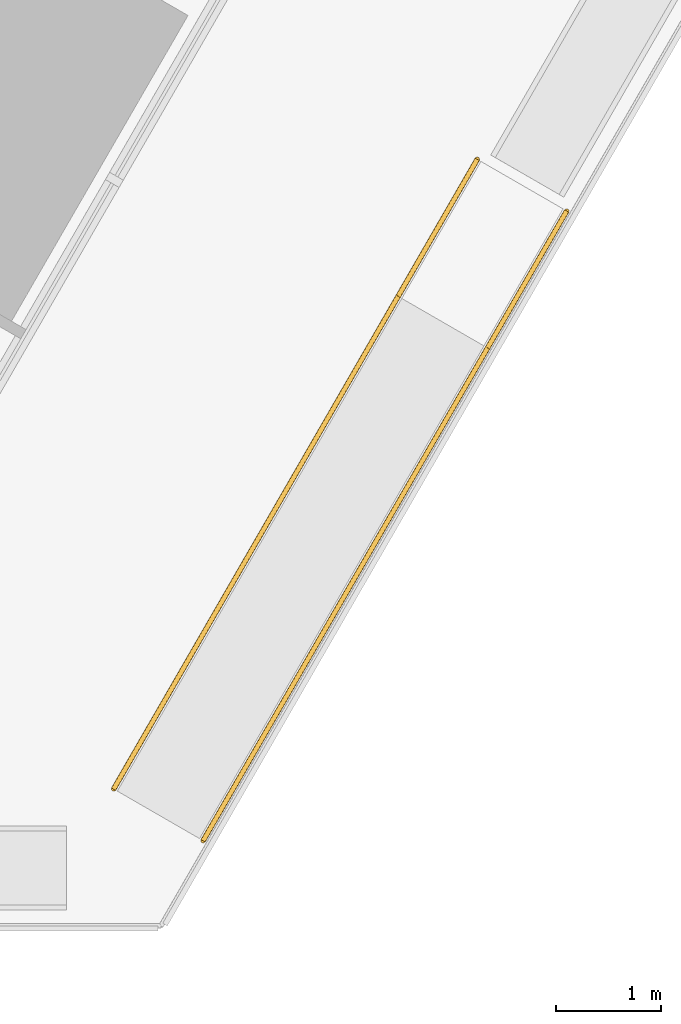
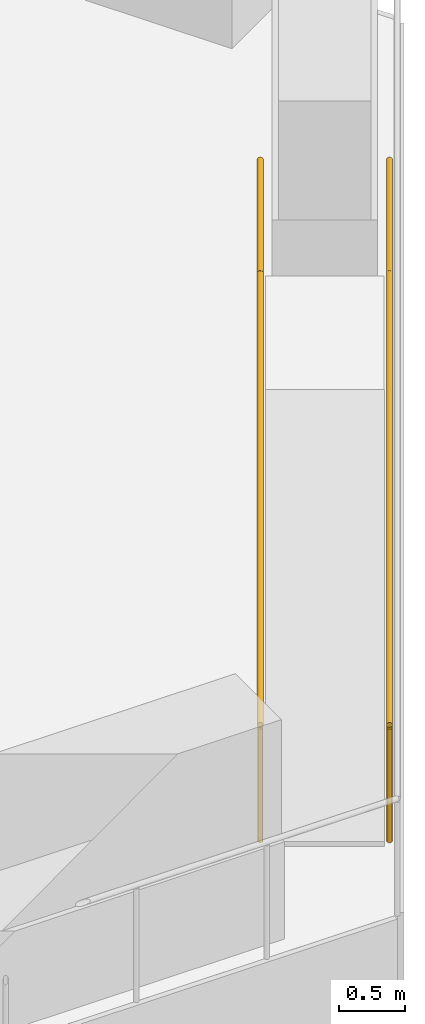
# One storey, part 24 of 26: 2 railings.
"""IFC4 building model written with IfcOpenShell, lengths in metres."""

from ifc_helpers import new_model, si_unit, direction, frame, origin, origin_2d, place, context, subcontext, project, spatial, circle, extrude, material, type_object, element, save


model = new_model("IFC4")

# Units and contexts
model_context = context("Model", 3, precision=1e-05, world=origin(), true_north=direction((0.0, 1.0)))
body_context = subcontext(model_context, "Body", "Model", "MODEL_VIEW")
ifc_project = project(units=[si_unit("LENGTHUNIT", "METRE"), si_unit("AREAUNIT", "SQUARE_METRE"), si_unit("VOLUMEUNIT", "CUBIC_METRE"), si_unit("PLANEANGLEUNIT", "RADIAN"), si_unit("MASSUNIT", "GRAM", prefix="KILO")], contexts=[model_context])

# Site, building, storey
site_placement = place(None, origin())
site = spatial("IfcSite", under=ifc_project, at=site_placement, CompositionType="ELEMENT")
building_placement = place(site_placement, origin())
building = spatial("IfcBuilding", under=site, at=building_placement, Name="Firuza Gate Tower and Library", CompositionType="ELEMENT")
storey_placement = place(building_placement, frame((0.0, 0.0, 52.60009765625)))
storey = spatial("IfcBuildingStorey", under=building, at=storey_placement, Name="L11", CompositionType="ELEMENT", Elevation=52.60009765625)

# Railings
ifc_material = material(Name="Steel S355", Category="steel")
railing_type = type_object("IfcRailingType", Name="Garden ramp guard 1100", PredefinedType="GUARDRAIL", material=ifc_material)
railing_1_placement = place(storey_placement, frame((105.560302734375, 51.571533203125, 0.0498046875)))
element("IfcRailing", 1, at=railing_1_placement, inside=storey, type_object=railing_type, Name="Ramp guard", PredefinedType="GUARDRAIL", context=body_context, shape_type="SweptSolid", body=[
    extrude(circle(Radius=0.02392578125, at=origin_2d()), frame((0.0, 0.0, 1.076171875), z_axis=(0.498661851359, 0.863640846545, 0.073897538371), x_axis=(-0.866008653551, 0.500029011134, 0.0)), (0.0, 0.0, 1.0), 5.414794921875),
    extrude(circle(Radius=0.02392578125, at=origin_2d()), frame((2.7001953125, 4.676513671875, 1.47607421875), z_axis=(0.499990139034, 0.866031096941, 0.0), x_axis=(-0.866031096941, 0.499990139034, 0.0)), (0.0, 0.0, 1.0), 1.5),
    extrude(circle(Radius=0.02099609375, at=origin_2d()), origin(), (0.0, 0.0, 1.0), 1.052001953125),
    extrude(circle(Radius=0.02099609375, at=origin_2d()), frame((0.5400390625, 0.935302734375, 0.080078125)), (0.0, 0.0, 1.0), 1.052001953125),
    extrude(circle(Radius=0.02099609375, at=origin_2d()), frame((1.080078125, 1.87060546875, 0.16015625)), (0.0, 0.0, 1.0), 1.052001953125),
    extrude(circle(Radius=0.02099609375, at=origin_2d()), frame((1.6201171875, 2.805908203125, 0.239990234375)), (0.0, 0.0, 1.0), 1.052001953125),
    extrude(circle(Radius=0.02099609375, at=origin_2d()), frame((2.16015625, 3.7412109375, 0.320068359375)), (0.0, 0.0, 1.0), 1.052001953125),
    extrude(circle(Radius=0.02099609375, at=origin_2d()), frame((2.7001953125, 4.676513671875, 0.400146484375)), (0.0, 0.0, 1.0), 1.052001953125),
    extrude(circle(Radius=0.02099609375, at=origin_2d()), frame((3.0751953125, 5.326171875, 0.400146484375)), (0.0, 0.0, 1.0), 1.052001953125),
    extrude(circle(Radius=0.02099609375, at=origin_2d()), frame((3.4501953125, 5.9755859375, 0.400146484375)), (0.0, 0.0, 1.0), 1.052001953125),
])
railing_2_placement = place(storey_placement, frame((106.4091796875, 51.08154296875, 0.0498046875)))
element("IfcRailing", 2, at=railing_2_placement, inside=storey, type_object=railing_type, Name="Ramp guard", PredefinedType="GUARDRAIL", context=body_context, shape_type="SweptSolid", body=[
    extrude(circle(Radius=0.02392578125, at=origin_2d()), frame((0.0, 0.0, 1.076171875), z_axis=(0.49862797474, 0.863660263689, 0.073899199801), x_axis=(-0.866028230842, 0.499995103361, 0.0)), (0.0, 0.0, 1.0), 5.414794921875),
    extrude(circle(Radius=0.02392578125, at=origin_2d()), frame((2.699951171875, 4.676513671875, 1.47607421875), z_axis=(0.499990139034, 0.866031096941, 0.0), x_axis=(-0.866031096941, 0.499990139034, 0.0)), (0.0, 0.0, 1.0), 1.5),
    extrude(circle(Radius=0.02099609375, at=origin_2d()), origin(), (0.0, 0.0, 1.0), 1.052001953125),
    extrude(circle(Radius=0.02099609375, at=origin_2d()), frame((0.5400390625, 0.935302734375, 0.080078125)), (0.0, 0.0, 1.0), 1.052001953125),
    extrude(circle(Radius=0.02099609375, at=origin_2d()), frame((1.080078125, 1.87060546875, 0.16015625)), (0.0, 0.0, 1.0), 1.052001953125),
    extrude(circle(Radius=0.02099609375, at=origin_2d()), frame((1.619873046875, 2.805908203125, 0.239990234375)), (0.0, 0.0, 1.0), 1.052001953125),
    extrude(circle(Radius=0.02099609375, at=origin_2d()), frame((2.159912109375, 3.7412109375, 0.320068359375)), (0.0, 0.0, 1.0), 1.052001953125),
    extrude(circle(Radius=0.02099609375, at=origin_2d()), frame((2.699951171875, 4.676513671875, 0.400146484375)), (0.0, 0.0, 1.0), 1.052001953125),
    extrude(circle(Radius=0.02099609375, at=origin_2d()), frame((3.074951171875, 5.326171875, 0.400146484375)), (0.0, 0.0, 1.0), 1.052001953125),
    extrude(circle(Radius=0.02099609375, at=origin_2d()), frame((3.449951171875, 5.9755859375, 0.400146484375)), (0.0, 0.0, 1.0), 1.052001953125),
])

save(model, "model.ifc")
